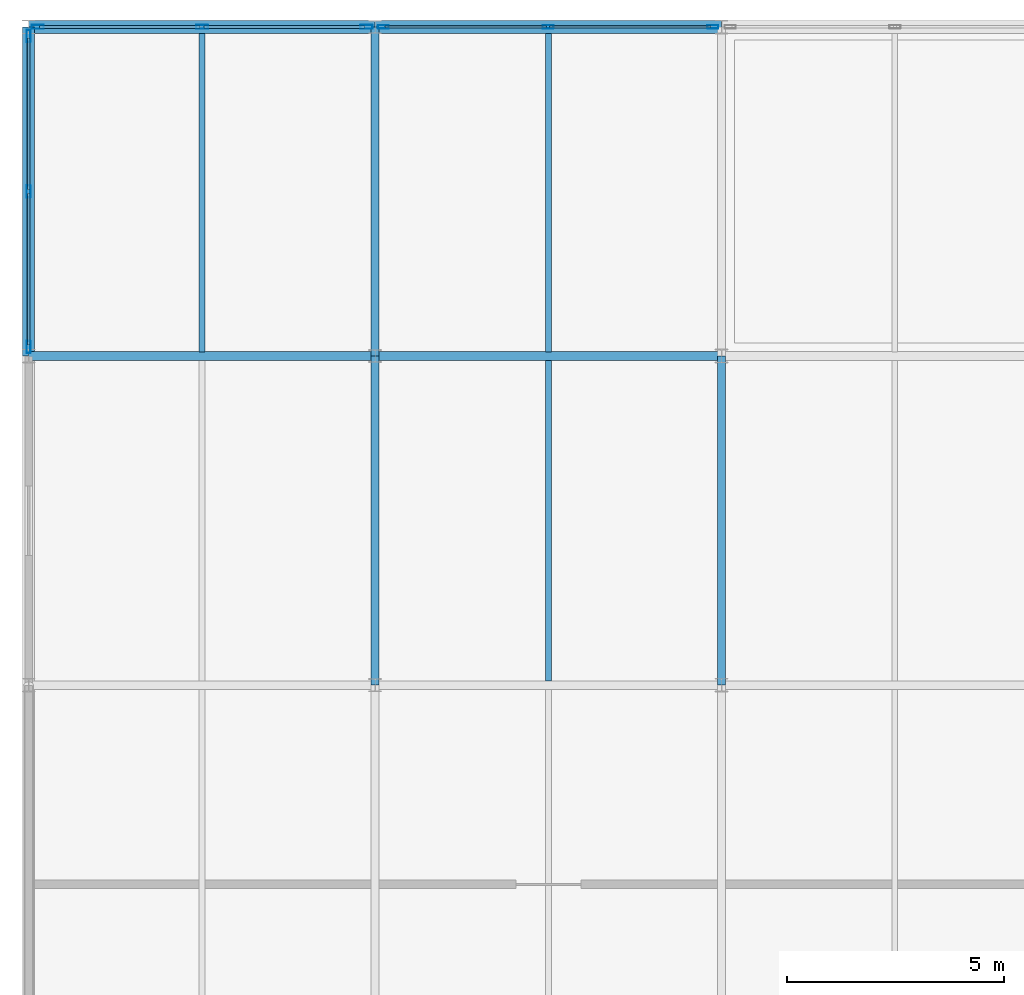
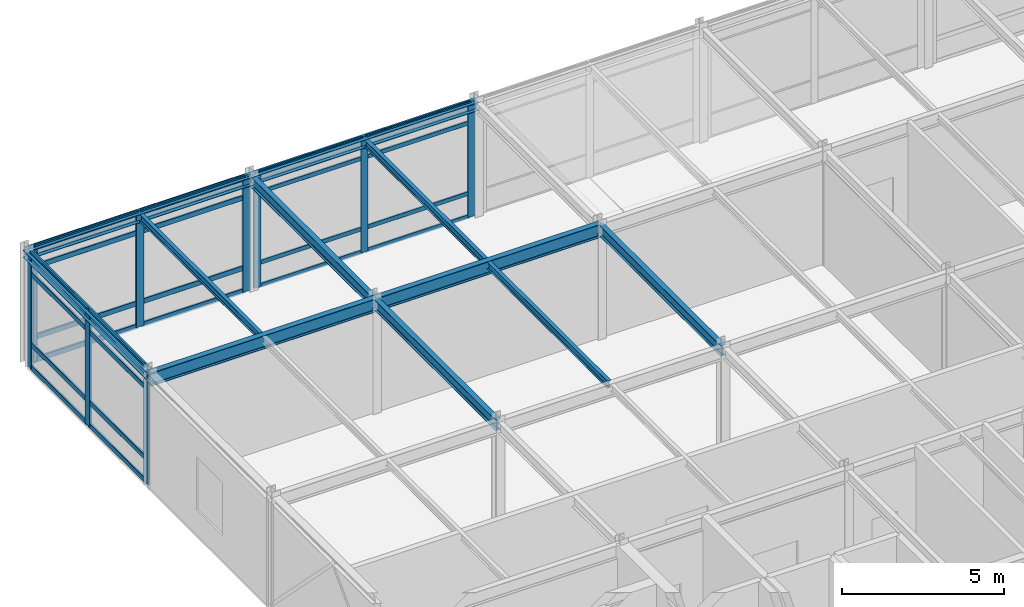
# One storey, part 4 of 12: 33 members, 11 beams, 3 elements without a shape of their own.
"""IFC4 building model written with IfcOpenShell, lengths in metres."""

from ifc_helpers import new_model, si_unit, direction, frame, origin, origin_2d, place, context, subcontext, project, spatial, hollow_rectangle, i_section, extrude, material, layer, layer_set, material_profile, profile_set, type_object, element, aggregate, save


model = new_model("IFC4")

# Units and contexts
model_context = context("Model", 3, precision=1e-05, world=origin(), true_north=direction((0.0, 1.0)))
body_context = subcontext(model_context, "Body", "Model", "MODEL_VIEW")
ifc_project = project(units=[si_unit("LENGTHUNIT", "METRE"), si_unit("AREAUNIT", "SQUARE_METRE"), si_unit("VOLUMEUNIT", "CUBIC_METRE"), si_unit("PLANEANGLEUNIT", "RADIAN"), si_unit("MASSUNIT", "GRAM", prefix="KILO")], contexts=[model_context])

# Site, building, storey
site_placement = place(None, origin())
site = spatial("IfcSite", under=ifc_project, at=site_placement, CompositionType="ELEMENT")
building_placement = place(site_placement, origin())
building = spatial("IfcBuilding", under=site, at=building_placement, Name="Shalkamar Park Central Library", CompositionType="ELEMENT")
storey_placement = place(building_placement, frame((0.0, 0.0, 67.800048828125)))
storey = spatial("IfcBuildingStorey", under=building, at=storey_placement, Name="L17", CompositionType="ELEMENT", Elevation=67.800048828125)

# Beams
ifc_material_1 = material(Name="Steel S355", Category="steel")
ifc_material_profile_1 = material_profile(ifc_material_1, i_section(OverallWidth=0.135009765625, OverallDepth=0.27001953125, WebThickness=0.006591796875, FlangeThickness=0.01025390625, FilletRadius=0.014892578125, at=origin_2d()), Name="IPE 270")
ifc_profile_set_1 = profile_set([ifc_material_profile_1], Name="Steel S355")
beam_type_1 = type_object("IfcBeamType", Name="Composite Floor Joist IPE270", PredefinedType="JOIST", material=ifc_profile_set_1)
beam_1_placement = place(storey_placement, frame((169.0, 270.498046875, 4.1650390625), z_axis=(0.0, 1.0, 0.0), x_axis=(-1.0, 0.0, 0.0)))
element("IfcBeam", 1, at=beam_1_placement, inside=storey, type_object=beam_type_1, Name="Composite Joist 07/E-1 (L17)", PredefinedType="JOIST", context=body_context, shape_type="SweptSolid", body=[
    extrude(i_section(OverallWidth=0.135009765625, OverallDepth=0.27001953125, WebThickness=0.006591796875, FlangeThickness=0.01025390625, FilletRadius=0.014892578125, at=origin_2d()), origin(), (0.0, 0.0, 1.0), 7.35400390625),
])
beam_2_placement = place(storey_placement, frame((177.0, 262.89794921875, 4.1650390625), z_axis=(0.0, 1.0, 0.0), x_axis=(-1.0, 0.0, 0.0)))
element("IfcBeam", 2, at=beam_2_placement, inside=storey, type_object=beam_type_1, Name="Composite Joist 08/D-1 (L17)", PredefinedType="JOIST", context=body_context, shape_type="SweptSolid", body=[
    extrude(i_section(OverallWidth=0.135009765625, OverallDepth=0.27001953125, WebThickness=0.006591796875, FlangeThickness=0.01025390625, FilletRadius=0.014892578125, at=origin_2d()), origin(), (0.0, 0.0, 1.0), 7.404052734375),
])
beam_3_placement = place(storey_placement, frame((177.0, 270.498046875, 4.1650390625), z_axis=(0.0, 1.0, 0.0), x_axis=(-1.0, 0.0, 0.0)))
element("IfcBeam", 3, at=beam_3_placement, inside=storey, type_object=beam_type_1, Name="Composite Joist 08/E-1 (L17)", PredefinedType="JOIST", context=body_context, shape_type="SweptSolid", body=[
    extrude(i_section(OverallWidth=0.135009765625, OverallDepth=0.27001953125, WebThickness=0.006591796875, FlangeThickness=0.01025390625, FilletRadius=0.014892578125, at=origin_2d()), origin(), (0.0, 0.0, 1.0), 7.35400390625),
])

# Curtain wall, members
ifc_material_2 = material(Name="Thermally broken aluminium and triple low-e curtain wall", Category="aluminium")
ifc_layer_1 = layer(ifc_material_2, 0.25)
ifc_layer_set_1 = layer_set([ifc_layer_1], Name="UnitisedCurtainWall_105")
curtain_wall_type_1 = type_object("IfcCurtainWallType", Name="Unitised Curtain Wall 105", PredefinedType="USERDEFINED", material=ifc_layer_set_1)
curtain_wall_1_placement = place(storey_placement, origin())
curtain_wall_1 = element("IfcCurtainWall", 4, at=curtain_wall_1_placement, inside=storey, type_object=curtain_wall_type_1, Name="Unitised Curtain Wall CW-L17-161", ObjectType="UNITISED CURTAIN WALL", PredefinedType="USERDEFINED")
ifc_material_3 = material(Name="Aluminium 6060-T66", Category="aluminium")
ifc_material_profile_2 = material_profile(ifc_material_3, hollow_rectangle(XDim=0.074951171875, YDim=0.25, WallThickness=0.00390625, InnerFilletRadius=0.00390625, OuterFilletRadius=0.006103515625, at=origin_2d()), Name="ALU 75x250x4")
ifc_profile_set_2 = profile_set([ifc_material_profile_2], Name="Aluminium 6060-T66")
member_type_1 = type_object("IfcMemberType", Name="Curtain Wall Mullion ALU75x250", PredefinedType="MULLION", material=ifc_profile_set_2)
member_1_placement = place(storey_placement, frame((173.19140625, 278.0, 0.0), z_axis=(0.0, 0.0, 1.0), x_axis=(0.0, 1.0, 0.0)))
member_1 = element("IfcMember", 5, at=member_1_placement, type_object=member_type_1, Name="CW-105 mullion 1", PredefinedType="MULLION", context=body_context, shape_type="SweptSolid", body=[
    extrude(hollow_rectangle(XDim=0.074951171875, YDim=0.25, WallThickness=0.00390625, InnerFilletRadius=0.00390625, OuterFilletRadius=0.006103515625, at=origin_2d()), origin(), (0.0, 0.0, 1.0), 4.300048828125),
])
member_2_placement = place(storey_placement, frame((176.9951171875, 278.0, 0.0), z_axis=(0.0, 0.0, 1.0), x_axis=(0.0, 1.0, 0.0)))
member_2 = element("IfcMember", 6, at=member_2_placement, type_object=member_type_1, Name="CW-105 mullion 2", PredefinedType="MULLION", context=body_context, shape_type="SweptSolid", body=[
    extrude(hollow_rectangle(XDim=0.074951171875, YDim=0.25, WallThickness=0.00390625, InnerFilletRadius=0.00390625, OuterFilletRadius=0.006103515625, at=origin_2d()), origin(), (0.0, 0.0, 1.0), 4.300048828125),
])
member_3_placement = place(storey_placement, frame((180.798583984375, 278.0, 0.0), z_axis=(0.0, 0.0, 1.0), x_axis=(0.0, 1.0, 0.0)))
member_3 = element("IfcMember", 7, at=member_3_placement, type_object=member_type_1, Name="CW-105 mullion 3", PredefinedType="MULLION", context=body_context, shape_type="SweptSolid", body=[
    extrude(hollow_rectangle(XDim=0.074951171875, YDim=0.25, WallThickness=0.00390625, InnerFilletRadius=0.00390625, OuterFilletRadius=0.006103515625, at=origin_2d()), origin(), (0.0, 0.0, 1.0), 4.300048828125),
])

ifc_layer_2 = layer(ifc_material_2, 0.280029296875)
ifc_layer_set_2 = layer_set([ifc_layer_2], Name="UnitisedCurtainWall_104")
curtain_wall_type_2 = type_object("IfcCurtainWallType", Name="Unitised Curtain Wall 104", PredefinedType="USERDEFINED", material=ifc_layer_set_2)
curtain_wall_2_placement = place(storey_placement, origin())
curtain_wall_2 = element("IfcCurtainWall", 8, at=curtain_wall_2_placement, inside=storey, type_object=curtain_wall_type_2, Name="Unitised Curtain Wall CW-L17-160", ObjectType="UNITISED CURTAIN WALL", PredefinedType="USERDEFINED")
ifc_material_profile_3 = material_profile(ifc_material_3, hollow_rectangle(XDim=0.090087890625, YDim=0.280029296875, WallThickness=0.0048828125, InnerFilletRadius=0.0048828125, OuterFilletRadius=0.007568359375, at=origin_2d()), Name="ALU 90x280x5")
ifc_profile_set_3 = profile_set([ifc_material_profile_3], Name="Aluminium 6060-T66")
member_type_2 = type_object("IfcMemberType", Name="Curtain Wall Mullion ALU90x280", PredefinedType="MULLION", material=ifc_profile_set_3)
member_4_placement = place(storey_placement, frame((165.208984375, 278.0, 0.0), z_axis=(0.0, 0.0, 1.0), x_axis=(0.0, 1.0, 0.0)))
member_4 = element("IfcMember", 9, at=member_4_placement, type_object=member_type_2, Name="CW-104 mullion 1", PredefinedType="MULLION", context=body_context, shape_type="SweptSolid", body=[
    extrude(hollow_rectangle(XDim=0.090087890625, YDim=0.280029296875, WallThickness=0.0048828125, InnerFilletRadius=0.0048828125, OuterFilletRadius=0.007568359375, at=origin_2d()), origin(), (0.0, 0.0, 1.0), 4.300048828125),
])
member_5_placement = place(storey_placement, frame((169.0048828125, 278.0, 0.0), z_axis=(0.0, 0.0, 1.0), x_axis=(0.0, 1.0, 0.0)))
member_5 = element("IfcMember", 10, at=member_5_placement, type_object=member_type_2, Name="CW-104 mullion 2", PredefinedType="MULLION", context=body_context, shape_type="SweptSolid", body=[
    extrude(hollow_rectangle(XDim=0.090087890625, YDim=0.280029296875, WallThickness=0.0048828125, InnerFilletRadius=0.0048828125, OuterFilletRadius=0.007568359375, at=origin_2d()), origin(), (0.0, 0.0, 1.0), 4.300048828125),
])
member_6_placement = place(storey_placement, frame((172.801025390625, 278.0, 0.0), z_axis=(0.0, 0.0, 1.0), x_axis=(0.0, 1.0, 0.0)))
member_6 = element("IfcMember", 11, at=member_6_placement, type_object=member_type_2, Name="CW-104 mullion 3", PredefinedType="MULLION", context=body_context, shape_type="SweptSolid", body=[
    extrude(hollow_rectangle(XDim=0.090087890625, YDim=0.280029296875, WallThickness=0.0048828125, InnerFilletRadius=0.0048828125, OuterFilletRadius=0.007568359375, at=origin_2d()), origin(), (0.0, 0.0, 1.0), 4.300048828125),
])

ifc_layer_3 = layer(ifc_material_2, 0.280029296875)
ifc_layer_set_3 = layer_set([ifc_layer_3], Name="UnitisedCurtainWall_110")
curtain_wall_type_3 = type_object("IfcCurtainWallType", Name="Unitised Curtain Wall 110", PredefinedType="USERDEFINED", material=ifc_layer_set_3)
curtain_wall_3_placement = place(storey_placement, origin())
curtain_wall_3 = element("IfcCurtainWall", 12, at=curtain_wall_3_placement, inside=storey, type_object=curtain_wall_type_3, Name="Unitised Curtain Wall CW-L17-166", ObjectType="UNITISED CURTAIN WALL", PredefinedType="USERDEFINED")
member_7_placement = place(storey_placement, frame((165.0, 270.60888671875, 0.0), z_axis=(0.0, 0.0, 1.0), x_axis=(-1.0, 0.0, 0.0)))
member_7 = element("IfcMember", 13, at=member_7_placement, type_object=member_type_2, Name="CW-110 mullion 1", PredefinedType="MULLION", context=body_context, shape_type="SweptSolid", body=[
    extrude(hollow_rectangle(XDim=0.090087890625, YDim=0.280029296875, WallThickness=0.0048828125, InnerFilletRadius=0.0048828125, OuterFilletRadius=0.007568359375, at=origin_2d()), origin(), (0.0, 0.0, 1.0), 4.300048828125),
])
member_8_placement = place(storey_placement, frame((165.0, 274.199951171875, 0.0), z_axis=(0.0, 0.0, 1.0), x_axis=(-1.0, 0.0, 0.0)))
member_8 = element("IfcMember", 14, at=member_8_placement, type_object=member_type_2, Name="CW-110 mullion 2", PredefinedType="MULLION", context=body_context, shape_type="SweptSolid", body=[
    extrude(hollow_rectangle(XDim=0.090087890625, YDim=0.280029296875, WallThickness=0.0048828125, InnerFilletRadius=0.0048828125, OuterFilletRadius=0.007568359375, at=origin_2d()), origin(), (0.0, 0.0, 1.0), 4.300048828125),
])
member_9_placement = place(storey_placement, frame((165.0, 277.791015625, 0.0), z_axis=(0.0, 0.0, 1.0), x_axis=(-1.0, 0.0, 0.0)))
member_9 = element("IfcMember", 15, at=member_9_placement, type_object=member_type_2, Name="CW-110 mullion 3", PredefinedType="MULLION", context=body_context, shape_type="SweptSolid", body=[
    extrude(hollow_rectangle(XDim=0.090087890625, YDim=0.280029296875, WallThickness=0.0048828125, InnerFilletRadius=0.0048828125, OuterFilletRadius=0.007568359375, at=origin_2d()), origin(), (0.0, 0.0, 1.0), 4.300048828125),
])

# Member
ifc_material_profile_4 = material_profile(ifc_material_3, hollow_rectangle(XDim=0.06005859375, YDim=0.159912109375, WallThickness=0.00390625, InnerFilletRadius=0.00390625, OuterFilletRadius=0.006103515625, at=origin_2d()), Name="ALU 60x160x4")
ifc_profile_set_4 = profile_set([ifc_material_profile_4], Name="Aluminium 6060-T66")
member_type_3 = type_object("IfcMemberType", Name="Curtain Wall Transom ALU60x160", PredefinedType="USERDEFINED", material=ifc_profile_set_4)
member_10_placement = place(storey_placement, frame((173.22900390625, 278.0, 0.030029296875), z_axis=(1.0, 0.0, 0.0), x_axis=(0.0, 1.0, 0.0)))
member_10 = element("IfcMember", 16, at=member_10_placement, type_object=member_type_3, Name="CW-105 transom 1.1", ObjectType="TRANSOM", PredefinedType="USERDEFINED", context=body_context, shape_type="SweptSolid", body=[
    extrude(hollow_rectangle(XDim=0.06005859375, YDim=0.159912109375, WallThickness=0.00390625, InnerFilletRadius=0.00390625, OuterFilletRadius=0.006103515625, at=origin_2d()), origin(), (0.0, 0.0, 1.0), 3.728515625),
])

member_11_placement = place(storey_placement, frame((173.22900390625, 278.0, 0.89990234375), z_axis=(1.0, 0.0, 0.0), x_axis=(0.0, 1.0, 0.0)))
member_11 = element("IfcMember", 17, at=member_11_placement, type_object=member_type_3, Name="CW-105 transom 1.2", ObjectType="TRANSOM", PredefinedType="USERDEFINED", context=body_context, shape_type="SweptSolid", body=[
    extrude(hollow_rectangle(XDim=0.06005859375, YDim=0.159912109375, WallThickness=0.00390625, InnerFilletRadius=0.00390625, OuterFilletRadius=0.006103515625, at=origin_2d()), origin(), (0.0, 0.0, 1.0), 3.728515625),
])

member_12_placement = place(storey_placement, frame((173.22900390625, 278.0, 3.550048828125), z_axis=(1.0, 0.0, 0.0), x_axis=(0.0, 1.0, 0.0)))
member_12 = element("IfcMember", 18, at=member_12_placement, type_object=member_type_3, Name="CW-105 transom 1.3", ObjectType="TRANSOM", PredefinedType="USERDEFINED", context=body_context, shape_type="SweptSolid", body=[
    extrude(hollow_rectangle(XDim=0.06005859375, YDim=0.159912109375, WallThickness=0.00390625, InnerFilletRadius=0.00390625, OuterFilletRadius=0.006103515625, at=origin_2d()), origin(), (0.0, 0.0, 1.0), 3.728515625),
])

member_13_placement = place(storey_placement, frame((173.22900390625, 278.0, 4.27001953125), z_axis=(1.0, 0.0, 0.0), x_axis=(0.0, 1.0, 0.0)))
member_13 = element("IfcMember", 19, at=member_13_placement, type_object=member_type_3, Name="CW-105 transom 1.4", ObjectType="TRANSOM", PredefinedType="USERDEFINED", context=body_context, shape_type="SweptSolid", body=[
    extrude(hollow_rectangle(XDim=0.06005859375, YDim=0.159912109375, WallThickness=0.00390625, InnerFilletRadius=0.00390625, OuterFilletRadius=0.006103515625, at=origin_2d()), origin(), (0.0, 0.0, 1.0), 3.728515625),
])

member_14_placement = place(storey_placement, frame((177.032470703125, 278.0, 0.030029296875), z_axis=(1.0, 0.0, 0.0), x_axis=(0.0, 1.0, 0.0)))
member_14 = element("IfcMember", 20, at=member_14_placement, type_object=member_type_3, Name="CW-105 transom 2.1", ObjectType="TRANSOM", PredefinedType="USERDEFINED", context=body_context, shape_type="SweptSolid", body=[
    extrude(hollow_rectangle(XDim=0.06005859375, YDim=0.159912109375, WallThickness=0.00390625, InnerFilletRadius=0.00390625, OuterFilletRadius=0.006103515625, at=origin_2d()), origin(), (0.0, 0.0, 1.0), 3.728515625),
])

member_15_placement = place(storey_placement, frame((177.032470703125, 278.0, 0.89990234375), z_axis=(1.0, 0.0, 0.0), x_axis=(0.0, 1.0, 0.0)))
member_15 = element("IfcMember", 21, at=member_15_placement, type_object=member_type_3, Name="CW-105 transom 2.2", ObjectType="TRANSOM", PredefinedType="USERDEFINED", context=body_context, shape_type="SweptSolid", body=[
    extrude(hollow_rectangle(XDim=0.06005859375, YDim=0.159912109375, WallThickness=0.00390625, InnerFilletRadius=0.00390625, OuterFilletRadius=0.006103515625, at=origin_2d()), origin(), (0.0, 0.0, 1.0), 3.728515625),
])

member_16_placement = place(storey_placement, frame((177.032470703125, 278.0, 3.550048828125), z_axis=(1.0, 0.0, 0.0), x_axis=(0.0, 1.0, 0.0)))
member_16 = element("IfcMember", 22, at=member_16_placement, type_object=member_type_3, Name="CW-105 transom 2.3", ObjectType="TRANSOM", PredefinedType="USERDEFINED", context=body_context, shape_type="SweptSolid", body=[
    extrude(hollow_rectangle(XDim=0.06005859375, YDim=0.159912109375, WallThickness=0.00390625, InnerFilletRadius=0.00390625, OuterFilletRadius=0.006103515625, at=origin_2d()), origin(), (0.0, 0.0, 1.0), 3.728515625),
])

member_17_placement = place(storey_placement, frame((177.032470703125, 278.0, 4.27001953125), z_axis=(1.0, 0.0, 0.0), x_axis=(0.0, 1.0, 0.0)))
member_17 = element("IfcMember", 23, at=member_17_placement, type_object=member_type_3, Name="CW-105 transom 2.4", ObjectType="TRANSOM", PredefinedType="USERDEFINED", context=body_context, shape_type="SweptSolid", body=[
    extrude(hollow_rectangle(XDim=0.06005859375, YDim=0.159912109375, WallThickness=0.00390625, InnerFilletRadius=0.00390625, OuterFilletRadius=0.006103515625, at=origin_2d()), origin(), (0.0, 0.0, 1.0), 3.728515625),
])

aggregate(curtain_wall_1, [member_1, member_2, member_3, member_10, member_11, member_12, member_13, member_14, member_15, member_16, member_17])

ifc_material_profile_5 = material_profile(ifc_material_3, hollow_rectangle(XDim=0.070068359375, YDim=0.18994140625, WallThickness=0.0048828125, InnerFilletRadius=0.0048828125, OuterFilletRadius=0.007568359375, at=origin_2d()), Name="ALU 70x190x5")
ifc_profile_set_5 = profile_set([ifc_material_profile_5], Name="Aluminium 6060-T66")
member_type_4 = type_object("IfcMemberType", Name="Curtain Wall Transom ALU70x190", PredefinedType="USERDEFINED", material=ifc_profile_set_5)
member_18_placement = place(storey_placement, frame((165.25390625, 278.0, 0.034912109375), z_axis=(1.0, 0.0, 0.0), x_axis=(0.0, 1.0, 0.0)))
member_18 = element("IfcMember", 24, at=member_18_placement, type_object=member_type_4, Name="CW-104 transom 1.1", ObjectType="TRANSOM", PredefinedType="USERDEFINED", context=body_context, shape_type="SweptSolid", body=[
    extrude(hollow_rectangle(XDim=0.070068359375, YDim=0.18994140625, WallThickness=0.0048828125, InnerFilletRadius=0.0048828125, OuterFilletRadius=0.007568359375, at=origin_2d()), origin(), (0.0, 0.0, 1.0), 3.7060546875),
])

member_19_placement = place(storey_placement, frame((165.25390625, 278.0, 0.89990234375), z_axis=(1.0, 0.0, 0.0), x_axis=(0.0, 1.0, 0.0)))
member_19 = element("IfcMember", 25, at=member_19_placement, type_object=member_type_4, Name="CW-104 transom 1.2", ObjectType="TRANSOM", PredefinedType="USERDEFINED", context=body_context, shape_type="SweptSolid", body=[
    extrude(hollow_rectangle(XDim=0.070068359375, YDim=0.18994140625, WallThickness=0.0048828125, InnerFilletRadius=0.0048828125, OuterFilletRadius=0.007568359375, at=origin_2d()), origin(), (0.0, 0.0, 1.0), 3.7060546875),
])

member_20_placement = place(storey_placement, frame((165.25390625, 278.0, 3.550048828125), z_axis=(1.0, 0.0, 0.0), x_axis=(0.0, 1.0, 0.0)))
member_20 = element("IfcMember", 26, at=member_20_placement, type_object=member_type_4, Name="CW-104 transom 1.3", ObjectType="TRANSOM", PredefinedType="USERDEFINED", context=body_context, shape_type="SweptSolid", body=[
    extrude(hollow_rectangle(XDim=0.070068359375, YDim=0.18994140625, WallThickness=0.0048828125, InnerFilletRadius=0.0048828125, OuterFilletRadius=0.007568359375, at=origin_2d()), origin(), (0.0, 0.0, 1.0), 3.7060546875),
])

member_21_placement = place(storey_placement, frame((165.25390625, 278.0, 4.264892578125), z_axis=(1.0, 0.0, 0.0), x_axis=(0.0, 1.0, 0.0)))
member_21 = element("IfcMember", 27, at=member_21_placement, type_object=member_type_4, Name="CW-104 transom 1.4", ObjectType="TRANSOM", PredefinedType="USERDEFINED", context=body_context, shape_type="SweptSolid", body=[
    extrude(hollow_rectangle(XDim=0.070068359375, YDim=0.18994140625, WallThickness=0.0048828125, InnerFilletRadius=0.0048828125, OuterFilletRadius=0.007568359375, at=origin_2d()), origin(), (0.0, 0.0, 1.0), 3.7060546875),
])

member_22_placement = place(storey_placement, frame((169.050048828125, 278.0, 0.034912109375), z_axis=(1.0, 0.0, 0.0), x_axis=(0.0, 1.0, 0.0)))
member_22 = element("IfcMember", 28, at=member_22_placement, type_object=member_type_4, Name="CW-104 transom 2.1", ObjectType="TRANSOM", PredefinedType="USERDEFINED", context=body_context, shape_type="SweptSolid", body=[
    extrude(hollow_rectangle(XDim=0.070068359375, YDim=0.18994140625, WallThickness=0.0048828125, InnerFilletRadius=0.0048828125, OuterFilletRadius=0.007568359375, at=origin_2d()), origin(), (0.0, 0.0, 1.0), 3.7060546875),
])

member_23_placement = place(storey_placement, frame((169.050048828125, 278.0, 0.89990234375), z_axis=(1.0, 0.0, 0.0), x_axis=(0.0, 1.0, 0.0)))
member_23 = element("IfcMember", 29, at=member_23_placement, type_object=member_type_4, Name="CW-104 transom 2.2", ObjectType="TRANSOM", PredefinedType="USERDEFINED", context=body_context, shape_type="SweptSolid", body=[
    extrude(hollow_rectangle(XDim=0.070068359375, YDim=0.18994140625, WallThickness=0.0048828125, InnerFilletRadius=0.0048828125, OuterFilletRadius=0.007568359375, at=origin_2d()), origin(), (0.0, 0.0, 1.0), 3.7060546875),
])

member_24_placement = place(storey_placement, frame((169.050048828125, 278.0, 3.550048828125), z_axis=(1.0, 0.0, 0.0), x_axis=(0.0, 1.0, 0.0)))
member_24 = element("IfcMember", 30, at=member_24_placement, type_object=member_type_4, Name="CW-104 transom 2.3", ObjectType="TRANSOM", PredefinedType="USERDEFINED", context=body_context, shape_type="SweptSolid", body=[
    extrude(hollow_rectangle(XDim=0.070068359375, YDim=0.18994140625, WallThickness=0.0048828125, InnerFilletRadius=0.0048828125, OuterFilletRadius=0.007568359375, at=origin_2d()), origin(), (0.0, 0.0, 1.0), 3.7060546875),
])

member_25_placement = place(storey_placement, frame((169.050048828125, 278.0, 4.264892578125), z_axis=(1.0, 0.0, 0.0), x_axis=(0.0, 1.0, 0.0)))
member_25 = element("IfcMember", 31, at=member_25_placement, type_object=member_type_4, Name="CW-104 transom 2.4", ObjectType="TRANSOM", PredefinedType="USERDEFINED", context=body_context, shape_type="SweptSolid", body=[
    extrude(hollow_rectangle(XDim=0.070068359375, YDim=0.18994140625, WallThickness=0.0048828125, InnerFilletRadius=0.0048828125, OuterFilletRadius=0.007568359375, at=origin_2d()), origin(), (0.0, 0.0, 1.0), 3.7060546875),
])

aggregate(curtain_wall_2, [member_4, member_5, member_6, member_18, member_19, member_20, member_21, member_22, member_23, member_24, member_25])

member_26_placement = place(storey_placement, frame((165.0, 270.654052734375, 0.034912109375), z_axis=(0.0, 1.0, 0.0), x_axis=(-1.0, 0.0, 0.0)))
member_26 = element("IfcMember", 32, at=member_26_placement, type_object=member_type_4, Name="CW-110 transom 1.1", ObjectType="TRANSOM", PredefinedType="USERDEFINED", context=body_context, shape_type="SweptSolid", body=[
    extrude(hollow_rectangle(XDim=0.070068359375, YDim=0.18994140625, WallThickness=0.0048828125, InnerFilletRadius=0.0048828125, OuterFilletRadius=0.007568359375, at=origin_2d()), origin(), (0.0, 0.0, 1.0), 3.5009765625),
])

member_27_placement = place(storey_placement, frame((165.0, 270.654052734375, 0.89990234375), z_axis=(0.0, 1.0, 0.0), x_axis=(-1.0, 0.0, 0.0)))
member_27 = element("IfcMember", 33, at=member_27_placement, type_object=member_type_4, Name="CW-110 transom 1.2", ObjectType="TRANSOM", PredefinedType="USERDEFINED", context=body_context, shape_type="SweptSolid", body=[
    extrude(hollow_rectangle(XDim=0.070068359375, YDim=0.18994140625, WallThickness=0.0048828125, InnerFilletRadius=0.0048828125, OuterFilletRadius=0.007568359375, at=origin_2d()), origin(), (0.0, 0.0, 1.0), 3.5009765625),
])

member_28_placement = place(storey_placement, frame((165.0, 270.654052734375, 3.550048828125), z_axis=(0.0, 1.0, 0.0), x_axis=(-1.0, 0.0, 0.0)))
member_28 = element("IfcMember", 34, at=member_28_placement, type_object=member_type_4, Name="CW-110 transom 1.3", ObjectType="TRANSOM", PredefinedType="USERDEFINED", context=body_context, shape_type="SweptSolid", body=[
    extrude(hollow_rectangle(XDim=0.070068359375, YDim=0.18994140625, WallThickness=0.0048828125, InnerFilletRadius=0.0048828125, OuterFilletRadius=0.007568359375, at=origin_2d()), origin(), (0.0, 0.0, 1.0), 3.5009765625),
])

member_29_placement = place(storey_placement, frame((165.0, 270.654052734375, 4.264892578125), z_axis=(0.0, 1.0, 0.0), x_axis=(-1.0, 0.0, 0.0)))
member_29 = element("IfcMember", 35, at=member_29_placement, type_object=member_type_4, Name="CW-110 transom 1.4", ObjectType="TRANSOM", PredefinedType="USERDEFINED", context=body_context, shape_type="SweptSolid", body=[
    extrude(hollow_rectangle(XDim=0.070068359375, YDim=0.18994140625, WallThickness=0.0048828125, InnerFilletRadius=0.0048828125, OuterFilletRadius=0.007568359375, at=origin_2d()), origin(), (0.0, 0.0, 1.0), 3.5009765625),
])

member_30_placement = place(storey_placement, frame((165.0, 274.2451171875, 0.034912109375), z_axis=(0.0, 1.0, 0.0), x_axis=(-1.0, 0.0, 0.0)))
member_30 = element("IfcMember", 36, at=member_30_placement, type_object=member_type_4, Name="CW-110 transom 2.1", ObjectType="TRANSOM", PredefinedType="USERDEFINED", context=body_context, shape_type="SweptSolid", body=[
    extrude(hollow_rectangle(XDim=0.070068359375, YDim=0.18994140625, WallThickness=0.0048828125, InnerFilletRadius=0.0048828125, OuterFilletRadius=0.007568359375, at=origin_2d()), origin(), (0.0, 0.0, 1.0), 3.5009765625),
])

member_31_placement = place(storey_placement, frame((165.0, 274.2451171875, 0.89990234375), z_axis=(0.0, 1.0, 0.0), x_axis=(-1.0, 0.0, 0.0)))
member_31 = element("IfcMember", 37, at=member_31_placement, type_object=member_type_4, Name="CW-110 transom 2.2", ObjectType="TRANSOM", PredefinedType="USERDEFINED", context=body_context, shape_type="SweptSolid", body=[
    extrude(hollow_rectangle(XDim=0.070068359375, YDim=0.18994140625, WallThickness=0.0048828125, InnerFilletRadius=0.0048828125, OuterFilletRadius=0.007568359375, at=origin_2d()), origin(), (0.0, 0.0, 1.0), 3.5009765625),
])

member_32_placement = place(storey_placement, frame((165.0, 274.2451171875, 3.550048828125), z_axis=(0.0, 1.0, 0.0), x_axis=(-1.0, 0.0, 0.0)))
member_32 = element("IfcMember", 38, at=member_32_placement, type_object=member_type_4, Name="CW-110 transom 2.3", ObjectType="TRANSOM", PredefinedType="USERDEFINED", context=body_context, shape_type="SweptSolid", body=[
    extrude(hollow_rectangle(XDim=0.070068359375, YDim=0.18994140625, WallThickness=0.0048828125, InnerFilletRadius=0.0048828125, OuterFilletRadius=0.007568359375, at=origin_2d()), origin(), (0.0, 0.0, 1.0), 3.5009765625),
])

member_33_placement = place(storey_placement, frame((165.0, 274.2451171875, 4.264892578125), z_axis=(0.0, 1.0, 0.0), x_axis=(-1.0, 0.0, 0.0)))
member_33 = element("IfcMember", 39, at=member_33_placement, type_object=member_type_4, Name="CW-110 transom 2.4", ObjectType="TRANSOM", PredefinedType="USERDEFINED", context=body_context, shape_type="SweptSolid", body=[
    extrude(hollow_rectangle(XDim=0.070068359375, YDim=0.18994140625, WallThickness=0.0048828125, InnerFilletRadius=0.0048828125, OuterFilletRadius=0.007568359375, at=origin_2d()), origin(), (0.0, 0.0, 1.0), 3.5009765625),
])

aggregate(curtain_wall_3, [member_7, member_8, member_9, member_26, member_27, member_28, member_29, member_30, member_31, member_32, member_33])

# Beams
ifc_material_profile_6 = material_profile(ifc_material_1, i_section(OverallWidth=0.280029296875, OverallDepth=0.27001953125, WebThickness=0.008056640625, FlangeThickness=0.012939453125, FilletRadius=0.02392578125, at=origin_2d()), Name="HEA 280")
ifc_profile_set_6 = profile_set([ifc_material_profile_6], Name="Steel S355")
beam_type_2 = type_object("IfcBeamType", Name="Perimeter Spandrel Beam HEA280", PredefinedType="SPANDREL", material=ifc_profile_set_6)
beam_4_placement = place(storey_placement, frame((165.0, 270.39990234375, 4.1650390625), z_axis=(0.0, 1.0, 0.0), x_axis=(-1.0, 0.0, 0.0)))
element("IfcBeam", 40, at=beam_4_placement, inside=storey, type_object=beam_type_2, Name="Beam 07:E-F (L17)", PredefinedType="SPANDREL", context=body_context, shape_type="SweptSolid", body=[
    extrude(i_section(OverallWidth=0.280029296875, OverallDepth=0.27001953125, WebThickness=0.008056640625, FlangeThickness=0.012939453125, FilletRadius=0.02392578125, at=origin_2d()), origin(), (0.0, 0.0, 1.0), 7.60009765625),
])
ifc_material_profile_7 = material_profile(ifc_material_1, i_section(OverallWidth=0.300048828125, OverallDepth=0.31005859375, WebThickness=0.009033203125, FlangeThickness=0.015380859375, FilletRadius=0.027099609375, at=origin_2d()), Name="HEA 320")
ifc_profile_set_7 = profile_set([ifc_material_profile_7], Name="Steel S355")
beam_type_3 = type_object("IfcBeamType", Name="Perimeter Spandrel Beam HEA320", PredefinedType="SPANDREL", material=ifc_profile_set_7)
for number, where, z_axis, x_axis, name in (
    (41, (165.0, 278.0, 4.14501953125), (1.0, 0.0, 0.0), (0.0, 1.0, 0.0), "Beam F:07-08 (L17)"),
    (42, (173.0, 278.0, 4.14501953125), (1.0, 0.0, 0.0), (0.0, 1.0, 0.0), "Beam F:08-09 (L17)"),
):
    element("IfcBeam", number, at=place(storey_placement, frame(where, z_axis=z_axis, x_axis=x_axis)), inside=storey, type_object=beam_type_3, Name=name, PredefinedType="SPANDREL", context=body_context, shape_type="SweptSolid", body=[
        extrude(i_section(OverallWidth=0.300048828125, OverallDepth=0.31005859375, WebThickness=0.009033203125, FlangeThickness=0.015380859375, FilletRadius=0.027099609375, at=origin_2d()), origin(), (0.0, 0.0, 1.0), 8.0),
    ])
ifc_material_profile_8 = material_profile(ifc_material_1, i_section(OverallWidth=0.179931640625, OverallDepth=0.39990234375, WebThickness=0.008544921875, FlangeThickness=0.013427734375, FilletRadius=0.02099609375, at=origin_2d()), Name="IPE 400")
ifc_profile_set_8 = profile_set([ifc_material_profile_8], Name="Steel S355")
beam_type_4 = type_object("IfcBeamType", Name="Primary Girder IPE400", PredefinedType="BEAM", material=ifc_profile_set_8)
beam_5_placement = place(storey_placement, frame((173.0, 262.800048828125, 4.099853515625), z_axis=(0.0, 1.0, 0.0), x_axis=(-1.0, 0.0, 0.0)))
element("IfcBeam", 43, at=beam_5_placement, inside=storey, type_object=beam_type_4, Name="Beam 08:D-E (L17)", PredefinedType="BEAM", context=body_context, shape_type="SweptSolid", body=[
    extrude(i_section(OverallWidth=0.179931640625, OverallDepth=0.39990234375, WebThickness=0.008544921875, FlangeThickness=0.013427734375, FilletRadius=0.02099609375, at=origin_2d()), origin(), (0.0, 0.0, 1.0), 7.599853515625),
])
beam_6_placement = place(storey_placement, frame((173.0, 270.39990234375, 4.099853515625), z_axis=(0.0, 1.0, 0.0), x_axis=(-1.0, 0.0, 0.0)))
element("IfcBeam", 44, at=beam_6_placement, inside=storey, type_object=beam_type_4, Name="Beam 08:E-F (L17)", PredefinedType="BEAM", context=body_context, shape_type="SweptSolid", body=[
    extrude(i_section(OverallWidth=0.179931640625, OverallDepth=0.39990234375, WebThickness=0.008544921875, FlangeThickness=0.013427734375, FilletRadius=0.02099609375, at=origin_2d()), origin(), (0.0, 0.0, 1.0), 7.60009765625),
])
beam_7_placement = place(storey_placement, frame((181.0, 262.800048828125, 4.099853515625), z_axis=(0.0, 1.0, 0.0), x_axis=(-1.0, 0.0, 0.0)))
element("IfcBeam", 45, at=beam_7_placement, inside=storey, type_object=beam_type_4, Name="Beam 09:D-E (L17)", PredefinedType="BEAM", context=body_context, shape_type="SweptSolid", body=[
    extrude(i_section(OverallWidth=0.179931640625, OverallDepth=0.39990234375, WebThickness=0.008544921875, FlangeThickness=0.013427734375, FilletRadius=0.02099609375, at=origin_2d()), origin(), (0.0, 0.0, 1.0), 7.599853515625),
])
ifc_material_profile_9 = material_profile(ifc_material_1, i_section(OverallWidth=0.199951171875, OverallDepth=0.5, WebThickness=0.01025390625, FlangeThickness=0.01611328125, FilletRadius=0.02099609375, at=origin_2d()), Name="IPE 500")
ifc_profile_set_9 = profile_set([ifc_material_profile_9], Name="Steel S355")
beam_type_5 = type_object("IfcBeamType", Name="Primary Girder IPE500", PredefinedType="BEAM", material=ifc_profile_set_9)
for number, where, z_axis, x_axis, name in (
    (46, (165.0, 270.39990234375, 4.050048828125), (1.0, 0.0, 0.0), (0.0, 1.0, 0.0), "Beam E:07-08 (L17)"),
    (47, (173.0, 270.39990234375, 4.050048828125), (1.0, 0.0, 0.0), (0.0, 1.0, 0.0), "Beam E:08-09 (L17)"),
):
    element("IfcBeam", number, at=place(storey_placement, frame(where, z_axis=z_axis, x_axis=x_axis)), inside=storey, type_object=beam_type_5, Name=name, PredefinedType="BEAM", context=body_context, shape_type="SweptSolid", body=[
        extrude(i_section(OverallWidth=0.199951171875, OverallDepth=0.5, WebThickness=0.01025390625, FlangeThickness=0.01611328125, FilletRadius=0.02099609375, at=origin_2d()), origin(), (0.0, 0.0, 1.0), 8.0),
    ])

save(model, "model.ifc")
